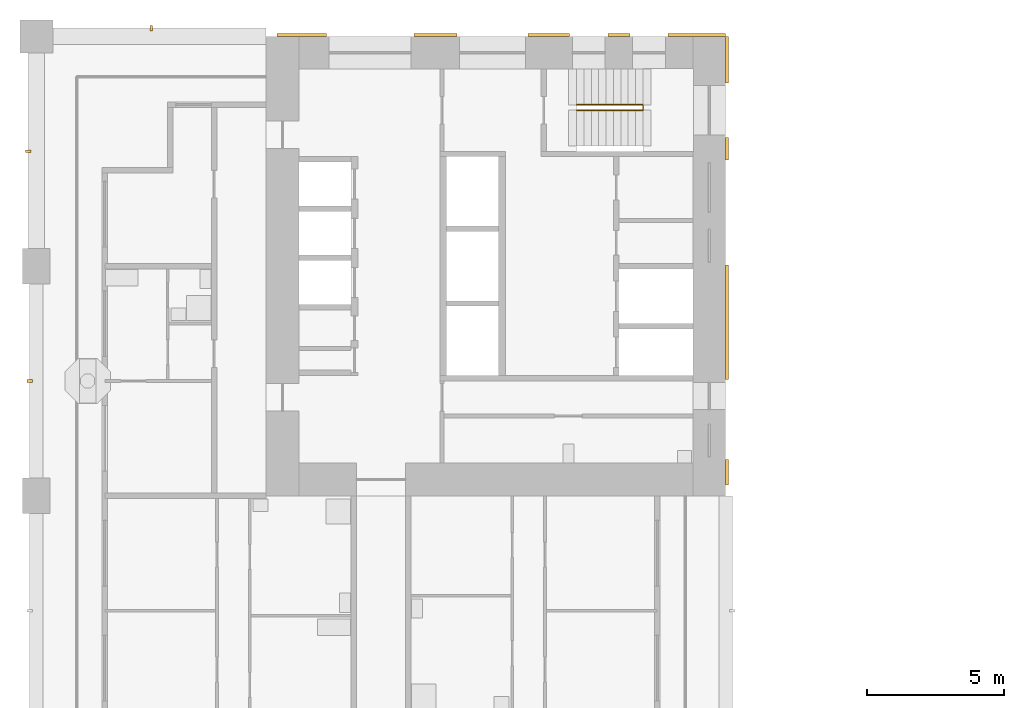
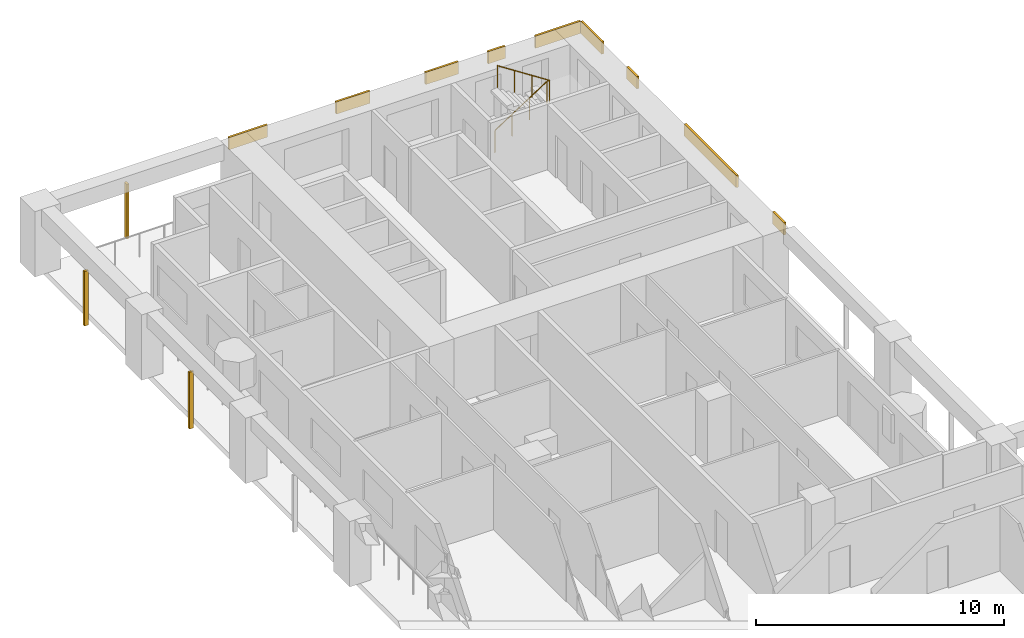
# One storey, part 14 of 18: 12 shading devices, 1 railing.
"""IFC4 building model written with IfcOpenShell, lengths in metres."""

from ifc_helpers import new_model, si_unit, direction, frame, origin, origin_2d, place, context, subcontext, project, spatial, rectangle, circle, extrude, material, layer, layer_set, material_profile, profile_set, type_object, element, save


model = new_model("IFC4")

# Units and contexts
model_context = context("Model", 3, precision=1e-05, world=origin(), true_north=direction((0.0, 1.0)))
body_context = subcontext(model_context, "Body", "Model", "MODEL_VIEW")
ifc_project = project(units=[si_unit("LENGTHUNIT", "METRE"), si_unit("AREAUNIT", "SQUARE_METRE"), si_unit("VOLUMEUNIT", "CUBIC_METRE"), si_unit("PLANEANGLEUNIT", "RADIAN"), si_unit("MASSUNIT", "GRAM", prefix="KILO")], contexts=[model_context])

# Site, building, storey
site_placement = place(None, origin())
site = spatial("IfcSite", under=ifc_project, at=site_placement, CompositionType="ELEMENT")
building_placement = place(site_placement, origin())
building = spatial("IfcBuilding", under=site, at=building_placement, Name="Vermilion Gate Residences", CompositionType="ELEMENT")
storey_placement = place(building_placement, frame((0.0, 0.0, 105.699951171875)))
storey = spatial("IfcBuildingStorey", under=building, at=storey_placement, Name="L26", CompositionType="ELEMENT", Elevation=105.699951171875)

# Railing
ifc_material_1 = material(Name="Steel S355", Category="steel")
railing_type = type_object("IfcRailingType", Name="STAIR GUARD 1100 STEEL", PredefinedType="GUARDRAIL", material=ifc_material_1)
railing_placement = place(storey_placement, frame((19.75, 56.300048828125, 0.175048828125)))
element("IfcRailing", 1, at=railing_placement, inside=storey, type_object=railing_type, Name="Stair well guard STB1-26", PredefinedType="GUARDRAIL", context=body_context, shape_type="SweptSolid", body=[
    extrude(circle(Radius=0.02392578125, at=origin_2d()), frame((0.0, 0.0, 1.076171875), z_axis=(0.839153699163, 0.0, 0.543894354798), x_axis=(0.0, 1.0, 0.0)), (0.0, 0.0, 1.0), 2.895751953125),
    extrude(circle(Radius=0.02392578125, at=origin_2d()), frame((2.429931640625, 0.0, 2.65087890625), z_axis=(0.0, -0.752405939678, 0.658699705433), x_axis=(1.0, 0.0, 0.0)), (0.0, 0.0, 1.0), 0.265869140625),
    extrude(circle(Radius=0.02392578125, at=origin_2d()), frame((2.429931640625, -0.199951171875, 2.826171875), z_axis=(-0.839153699163, 0.0, 0.543894354798), x_axis=(0.0, -1.0, 0.0)), (0.0, 0.0, 1.0), 2.895751953125),
    extrude(circle(Radius=0.02099609375, at=origin_2d()), origin(), (0.0, 0.0, 1.0), 1.052001953125),
    extrude(circle(Radius=0.02099609375, at=origin_2d()), frame((0.81005859375, 0.0, 0.52490234375)), (0.0, 0.0, 1.0), 1.052001953125),
    extrude(circle(Radius=0.02099609375, at=origin_2d()), frame((1.619873046875, 0.0, 1.050048828125)), (0.0, 0.0, 1.0), 1.052001953125),
    extrude(circle(Radius=0.02099609375, at=origin_2d()), frame((2.429931640625, 0.0, 1.574951171875)), (0.0, 0.0, 1.0), 1.052001953125),
    extrude(circle(Radius=0.02099609375, at=origin_2d()), frame((2.429931640625, -0.199951171875, 1.75)), (0.0, 0.0, 1.0), 1.052001953125),
    extrude(circle(Radius=0.02099609375, at=origin_2d()), frame((1.619873046875, -0.199951171875, 2.27490234375)), (0.0, 0.0, 1.0), 1.052001953125),
    extrude(circle(Radius=0.02099609375, at=origin_2d()), frame((0.81005859375, -0.199951171875, 2.800048828125)), (0.0, 0.0, 1.0), 1.052001953125),
    extrude(circle(Radius=0.02099609375, at=origin_2d()), frame((0.0, -0.199951171875, 3.324951171875)), (0.0, 0.0, 1.0), 1.052001953125),
])

# Shading devices
ifc_material_2 = material(Name="Extruded terracotta", Category="masonry")
ifc_material_profile = material_profile(ifc_material_2, rectangle(XDim=0.199951171875, YDim=0.10009765625, at=origin_2d()), Name="BAGUETTE 100 X 200")
ifc_profile_set = profile_set([ifc_material_profile], Name="Extruded terracotta")
shading_device_type_1 = type_object("IfcShadingDeviceType", Name="TERRACOTTA BAGUETTE 100 X 200", PredefinedType="JALOUSIE", material=ifc_profile_set)
shading_device_1_placement = place(storey_placement, frame((4.199951171875, 59.10009765625, -0.280029296875), z_axis=(0.0, 0.0, 1.0), x_axis=(0.0, -1.0, 0.0)))
element("IfcShadingDevice", 2, at=shading_device_1_placement, inside=storey, type_object=shading_device_type_1, Name="BAGUETTE", PredefinedType="JALOUSIE", context=body_context, shape_type="SweptSolid", body=[
    extrude(rectangle(XDim=0.199951171875, YDim=0.10009765625, at=origin_2d()), origin(), (0.0, 0.0, 1.0), 2.7001953125),
])
shading_device_2_placement = place(storey_placement, frame((-0.25, 46.199951171875, -0.280029296875), z_axis=(0.0, 0.0, 1.0), x_axis=(1.0, 0.0, 0.0)))
element("IfcShadingDevice", 3, at=shading_device_2_placement, inside=storey, type_object=shading_device_type_1, Name="BAGUETTE", PredefinedType="JALOUSIE", context=body_context, shape_type="SweptSolid", body=[
    extrude(rectangle(XDim=0.199951171875, YDim=0.10009765625, at=origin_2d()), origin(), (0.0, 0.0, 1.0), 2.800048828125),
])
shading_device_3_placement = place(storey_placement, frame((-0.300048828125, 54.60009765625, -0.280029296875), z_axis=(0.0, 0.0, 1.0), x_axis=(1.0, 0.0, 0.0)))
element("IfcShadingDevice", 4, at=shading_device_3_placement, inside=storey, type_object=shading_device_type_1, Name="BAGUETTE", PredefinedType="JALOUSIE", context=body_context, shape_type="SweptSolid", body=[
    extrude(rectangle(XDim=0.199951171875, YDim=0.10009765625, at=origin_2d()), origin(), (0.0, 0.0, 1.0), 2.7001953125),
])
ifc_material_3 = material(Name="Extruded terracotta", Category="masonry")
ifc_layer = layer(ifc_material_3, 0.10009765625)
ifc_layer_set = layer_set([ifc_layer], Name="TERRACOTTA SPANDREL BAND 600 X 100")
shading_device_type_2 = type_object("IfcShadingDeviceType", Name="TERRACOTTA SPANDREL BAND 600 X 100", PredefinedType="USERDEFINED", material=ifc_layer_set)
shading_device_4_placement = place(storey_placement, frame((9.702392578125, 58.85009765625, 2.6201171875), z_axis=(0.0, 0.0, 1.0), x_axis=(1.0, 0.0, 0.0)))
element("IfcShadingDevice", 5, at=shading_device_4_placement, inside=storey, type_object=shading_device_type_2, Name="SPANDREL BAND", ObjectType="BAND", PredefinedType="USERDEFINED", context=body_context, shape_type="SweptSolid", body=[
    extrude(rectangle(XDim=1.804931640625, YDim=0.10009765625, at=origin_2d()), origin(), (0.0, 0.0, 1.0), 0.60009765625),
])
shading_device_5_placement = place(storey_placement, frame((14.590087890625, 58.85009765625, 2.6201171875), z_axis=(0.0, 0.0, 1.0), x_axis=(1.0, 0.0, 0.0)))
element("IfcShadingDevice", 6, at=shading_device_5_placement, inside=storey, type_object=shading_device_type_2, Name="SPANDREL BAND", ObjectType="BAND", PredefinedType="USERDEFINED", context=body_context, shape_type="SweptSolid", body=[
    extrude(rectangle(XDim=1.570068359375, YDim=0.10009765625, at=origin_2d()), origin(), (0.0, 0.0, 1.0), 0.60009765625),
])
shading_device_6_placement = place(storey_placement, frame((18.734130859375, 58.85009765625, 2.6201171875), z_axis=(0.0, 0.0, 1.0), x_axis=(1.0, 0.0, 0.0)))
element("IfcShadingDevice", 7, at=shading_device_6_placement, inside=storey, type_object=shading_device_type_2, Name="SPANDREL BAND", ObjectType="BAND", PredefinedType="USERDEFINED", context=body_context, shape_type="SweptSolid", body=[
    extrude(rectangle(XDim=1.518310546875, YDim=0.10009765625, at=origin_2d()), origin(), (0.0, 0.0, 1.0), 0.60009765625),
])
shading_device_7_placement = place(storey_placement, frame((21.294921875, 58.85009765625, 2.6201171875), z_axis=(0.0, 0.0, 1.0), x_axis=(1.0, 0.0, 0.0)))
element("IfcShadingDevice", 8, at=shading_device_7_placement, inside=storey, type_object=shading_device_type_2, Name="SPANDREL BAND", ObjectType="BAND", PredefinedType="USERDEFINED", context=body_context, shape_type="SweptSolid", body=[
    extrude(rectangle(XDim=0.803466796875, YDim=0.10009765625, at=origin_2d()), origin(), (0.0, 0.0, 1.0), 0.60009765625),
])
shading_device_8_placement = place(storey_placement, frame((24.1484375, 58.85009765625, 2.6201171875), z_axis=(0.0, 0.0, 1.0), x_axis=(1.0, 0.0, 0.0)))
element("IfcShadingDevice", 9, at=shading_device_8_placement, inside=storey, type_object=shading_device_type_2, Name="SPANDREL BAND", ObjectType="BAND", PredefinedType="USERDEFINED", context=body_context, shape_type="SweptSolid", body=[
    extrude(rectangle(XDim=2.103271484375, YDim=0.10009765625, at=origin_2d()), origin(), (0.0, 0.0, 1.0), 0.60009765625),
])
shading_device_9_placement = place(storey_placement, frame((25.25, 42.862548828125, 2.6201171875), z_axis=(0.0, 0.0, 1.0), x_axis=(0.0, 1.0, 0.0)))
element("IfcShadingDevice", 10, at=shading_device_9_placement, inside=storey, type_object=shading_device_type_2, Name="SPANDREL BAND", ObjectType="BAND", PredefinedType="USERDEFINED", context=body_context, shape_type="SweptSolid", body=[
    extrude(rectangle(XDim=0.925048828125, YDim=0.10009765625, at=origin_2d()), origin(), (0.0, 0.0, 1.0), 0.60009765625),
])
shading_device_10_placement = place(storey_placement, frame((25.25, 48.35009765625, 2.6201171875), z_axis=(0.0, 0.0, 1.0), x_axis=(0.0, 1.0, 0.0)))
element("IfcShadingDevice", 11, at=shading_device_10_placement, inside=storey, type_object=shading_device_type_2, Name="SPANDREL BAND", ObjectType="BAND", PredefinedType="USERDEFINED", context=body_context, shape_type="SweptSolid", body=[
    extrude(rectangle(XDim=4.199951171875, YDim=0.10009765625, at=origin_2d()), origin(), (0.0, 0.0, 1.0), 0.60009765625),
])
shading_device_11_placement = place(storey_placement, frame((25.25, 54.6875, 2.6201171875), z_axis=(0.0, 0.0, 1.0), x_axis=(0.0, 1.0, 0.0)))
element("IfcShadingDevice", 12, at=shading_device_11_placement, inside=storey, type_object=shading_device_type_2, Name="SPANDREL BAND", ObjectType="BAND", PredefinedType="USERDEFINED", context=body_context, shape_type="SweptSolid", body=[
    extrude(rectangle(XDim=0.824951171875, YDim=0.10009765625, at=origin_2d()), origin(), (0.0, 0.0, 1.0), 0.60009765625),
])
shading_device_12_placement = place(storey_placement, frame((25.25, 57.949951171875, 2.6201171875), z_axis=(0.0, 0.0, 1.0), x_axis=(0.0, 1.0, 0.0)))
element("IfcShadingDevice", 13, at=shading_device_12_placement, inside=storey, type_object=shading_device_type_2, Name="SPANDREL BAND", ObjectType="BAND", PredefinedType="USERDEFINED", context=body_context, shape_type="SweptSolid", body=[
    extrude(rectangle(XDim=1.699951171875, YDim=0.10009765625, at=origin_2d()), origin(), (0.0, 0.0, 1.0), 0.60009765625),
])

save(model, "model.ifc")
